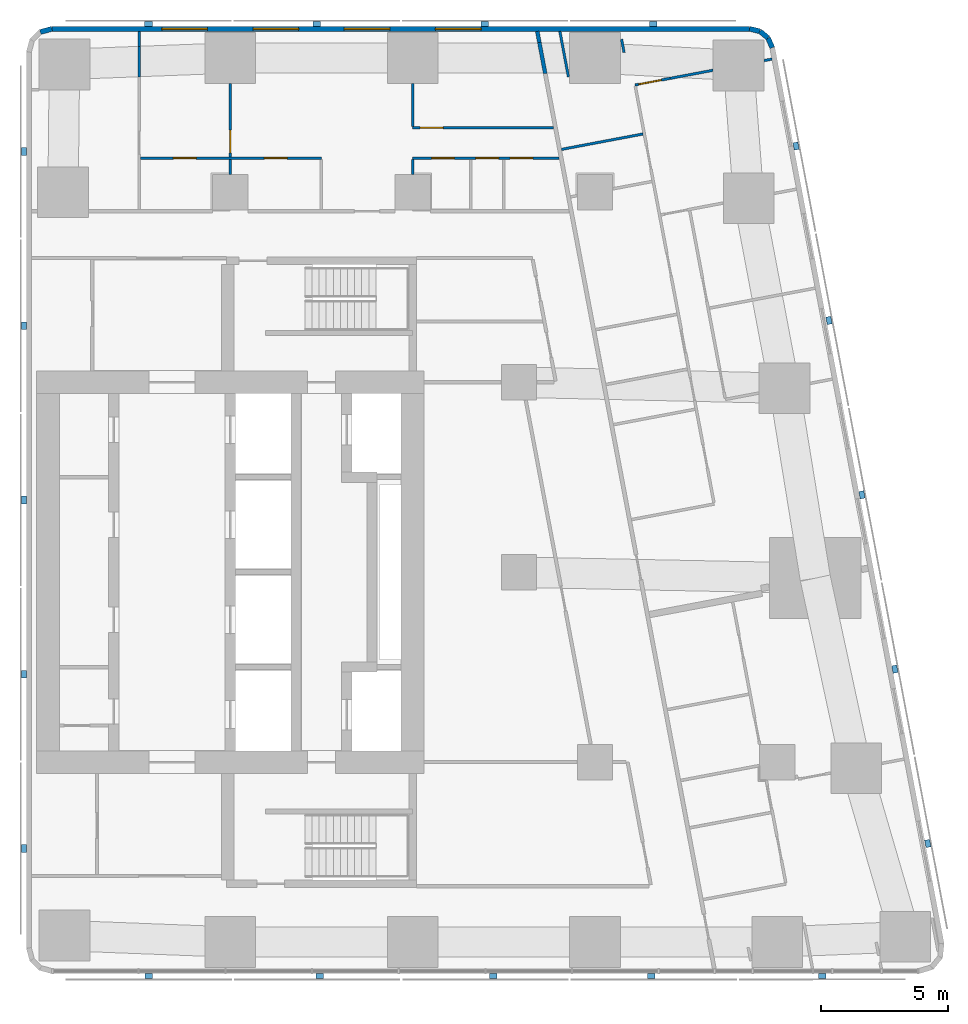
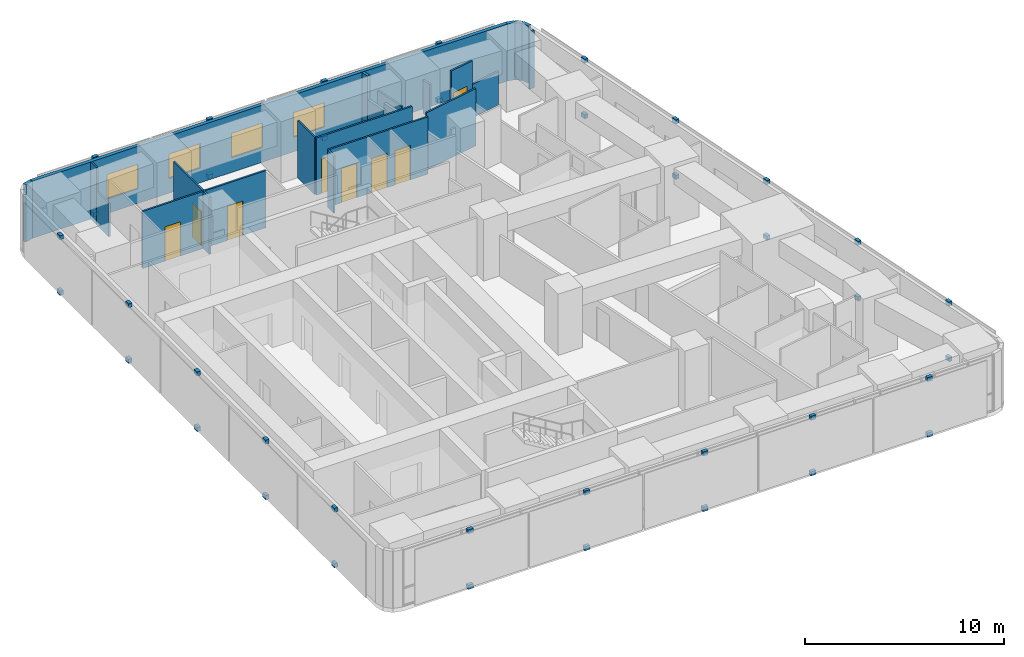
# One storey, part 8 of 10: 38 discrete accessories, 22 walls, 8 doors, 4 windows, 12 openings.
"""IFC4 building model written with IfcOpenShell, lengths in metres."""

from ifc_helpers import new_model, si_unit, direction, frame, frame_2d, origin, origin_2d, place, context, subcontext, project, spatial, rectangle, extrude, material, layer, layer_set, type_object, element, fill, save


model = new_model("IFC4")

# Units and contexts
model_context = context("Model", 3, precision=1e-05, world=origin(), true_north=direction((0.0, 1.0)))
body_context = subcontext(model_context, "Body", "Model", "MODEL_VIEW")
ifc_project = project(units=[si_unit("LENGTHUNIT", "METRE"), si_unit("AREAUNIT", "SQUARE_METRE"), si_unit("VOLUMEUNIT", "CUBIC_METRE"), si_unit("PLANEANGLEUNIT", "RADIAN"), si_unit("MASSUNIT", "GRAM", prefix="KILO")], contexts=[model_context])

# Site, building, storey
site_placement = place(None, origin())
site = spatial("IfcSite", under=ifc_project, at=site_placement, CompositionType="ELEMENT")
building_placement = place(site_placement, origin())
building = spatial("IfcBuilding", under=site, at=building_placement, Name="Sheger Commons Tower", CompositionType="ELEMENT")
storey_placement = place(building_placement, frame((0.0, 0.0, 285.35009765625)))
storey = spatial("IfcBuildingStorey", under=building, at=storey_placement, Name="L73", CompositionType="ELEMENT", Elevation=285.35009765625)

# Walls
ifc_material_1 = material(Name="Hollow concrete block masonry, skimmed both sides", Category="masonry")
ifc_layer_1 = layer(ifc_material_1, 0.14990234375)
ifc_layer_set_1 = layer_set([ifc_layer_1], Name="CORRIDOR WALL 150")
wall_type_1 = type_object("IfcWallType", Name="CORRIDOR WALL 150", PredefinedType="SOLIDWALL", material=ifc_layer_set_1)
wall_1_placement = place(storey_placement, frame((33.721923828125, 43.85009765625, 0.0), z_axis=(0.0, 0.0, 1.0), x_axis=(0.184886516626, -0.982759877066, 0.0)))
element("IfcWall", 1, at=wall_1_placement, inside=storey, type_object=wall_type_1, Name="Corridor wall L73", PredefinedType="SOLIDWALL", context=body_context, shape_type="SweptSolid", body=[
    extrude(rectangle(XDim=0.443603515625, YDim=0.14990234375, at=frame_2d((0.2216796875, 0.0))), origin(), (0.0, 0.0, 1.0), 3.5),
])
wall_2_placement = place(storey_placement, frame((33.803955078125, 43.4140625, 0.0), z_axis=(0.0, 0.0, 1.0), x_axis=(0.185585816539, -0.982628060204, 0.0)))
element("IfcWall", 2, at=wall_2_placement, inside=storey, type_object=wall_type_1, Name="Corridor wall L73", PredefinedType="SOLIDWALL", context=body_context, shape_type="SweptSolid", body=[
    extrude(rectangle(XDim=1.249755859375, YDim=0.14990234375, at=frame_2d((0.625, 0.0))), origin(), (0.0, 0.0, 1.0), 2.0498046875),
])
ifc_material_2 = material(Name="Rendered concrete block masonry, dark grey", Category="masonry")
ifc_layer_2 = layer(ifc_material_2, 0.199951171875)
ifc_layer_set_2 = layer_set([ifc_layer_2], Name="FACADE WALL 200")
wall_type_2 = type_object("IfcWallType", Name="FACADE WALL 200", PredefinedType="SOLIDWALL", material=ifc_layer_set_2)
wall_3_placement = place(storey_placement, frame((43.001953125, 43.2060546875, 0.0), z_axis=(0.0, 0.0, 1.0), x_axis=(-0.40678170573, 0.913525393124, 0.0)))
element("IfcWall", 3, at=wall_3_placement, inside=storey, type_object=wall_type_2, Name="Facade wall L73", PredefinedType="SOLIDWALL", context=body_context, shape_type="SweptSolid", body=[
    extrude(rectangle(XDim=0.422607421875, YDim=0.199951171875, at=frame_2d((0.21142578125, 0.0))), origin(), (0.0, 0.0, 1.0), 3.5),
])
wall_4_placement = place(storey_placement, frame((42.830078125, 43.592041015625, 0.0), z_axis=(0.0, 0.0, 1.0), x_axis=(-0.771190539797, 0.636604391539, 0.0)))
element("IfcWall", 4, at=wall_4_placement, inside=storey, type_object=wall_type_2, Name="Facade wall L73", PredefinedType="SOLIDWALL", context=body_context, shape_type="SweptSolid", body=[
    extrude(rectangle(XDim=0.409912109375, YDim=0.199951171875, at=frame_2d((0.205078125, 0.0))), origin(), (0.0, 0.0, 1.0), 3.5),
])
wall_5_placement = place(storey_placement, frame((42.513916015625, 43.85302734375, 0.0), z_axis=(0.0, 0.0, 1.0), x_axis=(-0.973288080424, 0.229587265555, 0.0)))
element("IfcWall", 5, at=wall_5_placement, inside=storey, type_object=wall_type_2, Name="Facade wall L73", PredefinedType="SOLIDWALL", context=body_context, shape_type="SweptSolid", body=[
    extrude(rectangle(XDim=0.422119140625, YDim=0.199951171875, at=frame_2d((0.2109375, 0.0))), origin(), (0.0, 0.0, 1.0), 3.5),
])

# Wall, openings, windows
wall_6_placement = place(storey_placement, frame((42.10302734375, 43.949951171875, 0.0), z_axis=(0.0, 0.0, 1.0), x_axis=(-1.0, 0.0, 0.0)))
wall_6 = element("IfcWall", 6, at=wall_6_placement, inside=storey, type_object=wall_type_2, Name="Facade wall L73", PredefinedType="SOLIDWALL", context=body_context, shape_type="SweptSolid", body=[
    extrude(rectangle(XDim=27.5400390625, YDim=0.199951171875, at=frame_2d((13.77001953125, 0.0))), origin(), (0.0, 0.0, 1.0), 3.5),
])
opening_1_placement = place(wall_6_placement, frame((10.60302734375, 0.0, 0.89990234375)))
opening_1 = element("IfcOpeningElement", 7, at=opening_1_placement, cuts=wall_6, Name="Opening W2", PredefinedType="OPENING", context=body_context, shape_type="SweptSolid", body=[
    extrude(rectangle(XDim=1.800048828125, YDim=1.5, at=frame_2d((0.89990234375, 0.75))), frame((0.0, 0.10986328125, 0.0), z_axis=(0.0, -1.0, 0.0), x_axis=(1.0, 0.0, 0.0)), (0.0, 0.0, 1.0), 0.219970703125),
])
opening_2_placement = place(wall_6_placement, frame((14.202880859375, 0.0, 0.89990234375)))
opening_2 = element("IfcOpeningElement", 8, at=opening_2_placement, cuts=wall_6, Name="Opening W2", PredefinedType="OPENING", context=body_context, shape_type="SweptSolid", body=[
    extrude(rectangle(XDim=1.800048828125, YDim=1.5, at=frame_2d((0.89990234375, 0.75))), frame((0.0, 0.10986328125, 0.0), z_axis=(0.0, -1.0, 0.0), x_axis=(1.0, 0.0, 0.0)), (0.0, 0.0, 1.0), 0.219970703125),
])
opening_3_placement = place(wall_6_placement, frame((17.802978515625, 0.0, 0.89990234375)))
opening_3 = element("IfcOpeningElement", 9, at=opening_3_placement, cuts=wall_6, Name="Opening W2", PredefinedType="OPENING", context=body_context, shape_type="SweptSolid", body=[
    extrude(rectangle(XDim=1.800048828125, YDim=1.5, at=frame_2d((0.89990234375, 0.75))), frame((0.0, 0.10986328125, 0.0), z_axis=(0.0, -1.0, 0.0), x_axis=(1.0, 0.0, 0.0)), (0.0, 0.0, 1.0), 0.219970703125),
])
opening_4_placement = place(wall_6_placement, frame((21.403076171875, 0.0, 0.89990234375)))
opening_4 = element("IfcOpeningElement", 10, at=opening_4_placement, cuts=wall_6, Name="Opening W2", PredefinedType="OPENING", context=body_context, shape_type="SweptSolid", body=[
    extrude(rectangle(XDim=1.800048828125, YDim=1.5, at=frame_2d((0.89990234375, 0.75))), frame((0.0, 0.10986328125, 0.0), z_axis=(0.0, -1.0, 0.0), x_axis=(1.0, 0.0, 0.0)), (0.0, 0.0, 1.0), 0.219970703125),
])
ifc_material_3 = material(Name="Black aluminium frame, dark tinted double glazing", Category="aluminium")
window_type = type_object("IfcWindowType", Name="WINDOW W2 1800x1500", PartitioningType="SINGLE_PANEL", PredefinedType="WINDOW", material=ifc_material_3)
window_1_placement = place(opening_1_placement, origin())
window_1 = element("IfcWindow", 11, at=window_1_placement, inside=storey, type_object=window_type, Name="Window W2 1800X1500", OverallHeight=1.5, OverallWidth=1.800048828125, PartitioningType="SINGLE_PANEL", PredefinedType="WINDOW", context=body_context, shape_type="SweptSolid", body=[
    extrude(rectangle(XDim=1.800048828125, YDim=1.5, at=frame_2d((0.89990234375, 0.75))), frame((0.0, 0.030029296875, 0.0), z_axis=(0.0, -1.0, 0.0), x_axis=(1.0, 0.0, 0.0)), (0.0, 0.0, 1.0), 0.06005859375),
])
fill(opening_1, window_1)
window_2_placement = place(opening_2_placement, origin())
window_2 = element("IfcWindow", 12, at=window_2_placement, inside=storey, type_object=window_type, Name="Window W2 1800X1500", OverallHeight=1.5, OverallWidth=1.800048828125, PartitioningType="SINGLE_PANEL", PredefinedType="WINDOW", context=body_context, shape_type="SweptSolid", body=[
    extrude(rectangle(XDim=1.800048828125, YDim=1.5, at=frame_2d((0.89990234375, 0.75))), frame((0.0, 0.030029296875, 0.0), z_axis=(0.0, -1.0, 0.0), x_axis=(1.0, 0.0, 0.0)), (0.0, 0.0, 1.0), 0.06005859375),
])
fill(opening_2, window_2)
window_3_placement = place(opening_3_placement, origin())
window_3 = element("IfcWindow", 13, at=window_3_placement, inside=storey, type_object=window_type, Name="Window W2 1800X1500", OverallHeight=1.5, OverallWidth=1.800048828125, PartitioningType="SINGLE_PANEL", PredefinedType="WINDOW", context=body_context, shape_type="SweptSolid", body=[
    extrude(rectangle(XDim=1.800048828125, YDim=1.5, at=frame_2d((0.89990234375, 0.75))), frame((0.0, 0.030029296875, 0.0), z_axis=(0.0, -1.0, 0.0), x_axis=(1.0, 0.0, 0.0)), (0.0, 0.0, 1.0), 0.06005859375),
])
fill(opening_3, window_3)
window_4_placement = place(opening_4_placement, origin())
window_4 = element("IfcWindow", 14, at=window_4_placement, inside=storey, type_object=window_type, Name="Window W2 1800X1500", OverallHeight=1.5, OverallWidth=1.800048828125, PartitioningType="SINGLE_PANEL", PredefinedType="WINDOW", context=body_context, shape_type="SweptSolid", body=[
    extrude(rectangle(XDim=1.800048828125, YDim=1.5, at=frame_2d((0.89990234375, 0.75))), frame((0.0, 0.030029296875, 0.0), z_axis=(0.0, -1.0, 0.0), x_axis=(1.0, 0.0, 0.0)), (0.0, 0.0, 1.0), 0.06005859375),
])
fill(opening_4, window_4)

# Walls
wall_7_placement = place(storey_placement, frame((14.56298828125, 43.949951171875, 0.0), z_axis=(0.0, 0.0, 1.0), x_axis=(-0.965655254015, -0.259826731483, 0.0)))
element("IfcWall", 15, at=wall_7_placement, inside=storey, type_object=wall_type_2, Name="Facade wall L73", PredefinedType="SOLIDWALL", context=body_context, shape_type="SweptSolid", body=[
    extrude(rectangle(XDim=0.477294921875, YDim=0.199951171875, at=frame_2d((0.23876953125, 0.0))), origin(), (0.0, 0.0, 1.0), 3.5),
])
ifc_material_4 = material(Name="Gypsum board on steel studs", Category="steel")
ifc_layer_3 = layer(ifc_material_4, 0.10009765625)
ifc_layer_set_3 = layer_set([ifc_layer_3], Name="PARTITION 100")
wall_type_3 = type_object("IfcWallType", Name="PARTITION 100", PredefinedType="PARTITIONING", material=ifc_layer_set_3)
wall_8_placement = place(storey_placement, frame((34.951904296875, 42.054931640625, 0.0), z_axis=(0.0, 0.0, 1.0), x_axis=(-0.185490642006, 0.98264603074, 0.0)))
element("IfcWall", 16, at=wall_8_placement, inside=storey, type_object=wall_type_3, Name="Partition L73", PredefinedType="PARTITIONING", context=body_context, shape_type="SweptSolid", body=[
    extrude(rectangle(XDim=1.826904296875, YDim=0.10009765625, at=frame_2d((0.91357421875, 0.0))), origin(), (0.0, 0.0, 1.0), 2.0498046875),
])
wall_9_placement = place(storey_placement, frame((37.049072265625, 43.5390625, 0.0), z_axis=(0.0, 0.0, 1.0), x_axis=(0.186119495745, -0.982527115811, 0.0)))
element("IfcWall", 17, at=wall_9_placement, inside=storey, type_object=wall_type_3, Name="Partition L73", PredefinedType="PARTITIONING", context=body_context, shape_type="SweptSolid", body=[
    extrude(rectangle(XDim=0.53125, YDim=0.10009765625, at=frame_2d((0.265625, 0.0))), origin(), (0.0, 0.0, 1.0), 2.0498046875),
])
wall_10_placement = place(storey_placement, frame((42.985107421875, 42.7548828125, 0.0), z_axis=(0.0, 0.0, 1.0), x_axis=(-0.98281924824, -0.184570651215, 0.0)))
element("IfcWall", 18, at=wall_10_placement, inside=storey, type_object=wall_type_3, Name="Partition L73", PredefinedType="PARTITIONING", context=body_context, shape_type="SweptSolid", body=[
    extrude(rectangle(XDim=0.3134765625, YDim=0.10009765625, at=frame_2d((0.15673828125, 0.0))), origin(), (0.0, 0.0, 1.0), 3.5),
])
wall_11_placement = place(storey_placement, frame((40.656982421875, 42.31494140625, 0.0), z_axis=(0.0, 0.0, 1.0), x_axis=(-0.982603924403, -0.185713563715, 0.0)))
element("IfcWall", 19, at=wall_11_placement, inside=storey, type_object=wall_type_3, Name="Partition L73", PredefinedType="PARTITIONING", context=body_context, shape_type="SweptSolid", body=[
    extrude(rectangle(XDim=1.716796875, YDim=0.10009765625, at=frame_2d((0.8583984375, 0.0))), origin(), (0.0, 0.0, 1.0), 2.0498046875),
])

# Wall, opening, door
wall_12_placement = place(storey_placement, frame((38.969970703125, 41.99609375, 0.0), z_axis=(0.0, 0.0, 1.0), x_axis=(-0.982642648049, -0.185508561084, 0.0)))
wall_12 = element("IfcWall", 20, at=wall_12_placement, inside=storey, type_object=wall_type_3, Name="Partition L73", PredefinedType="PARTITIONING", context=body_context, shape_type="SweptSolid", body=[
    extrude(rectangle(XDim=1.413330078125, YDim=0.10009765625, at=frame_2d((0.70654296875, 0.0))), origin(), (0.0, 0.0, 1.0), 3.5),
])
opening_5_placement = place(wall_12_placement, frame((0.363037109375, 0.0, 0.0)))
opening_5 = element("IfcOpeningElement", 21, at=opening_5_placement, cuts=wall_12, Name="Opening D2", PredefinedType="OPENING", context=body_context, shape_type="SweptSolid", body=[
    extrude(rectangle(XDim=0.89990234375, YDim=2.10009765625, at=frame_2d((0.449951171875, 1.050048828125))), frame((0.0, 0.06005859375, 0.0), z_axis=(0.0, -1.0, 0.0), x_axis=(1.0, 0.0, 0.0)), (0.0, 0.0, 1.0), 0.1201171875),
])
ifc_material_5 = material(Name="Timber door set", Category="wood")
door_type = type_object("IfcDoorType", Name="INTERNAL DOOR 900x2100", OperationType="NOTDEFINED", PredefinedType="DOOR", material=ifc_material_5)
door_1_placement = place(opening_5_placement, origin())
door_1 = element("IfcDoor", 22, at=door_1_placement, inside=storey, type_object=door_type, Name="Dressing room door", OperationType="SINGLE_SWING_LEFT", OverallHeight=2.10009765625, OverallWidth=0.89990234375, PredefinedType="DOOR", context=body_context, shape_type="SweptSolid", body=[
    extrude(rectangle(XDim=0.89990234375, YDim=2.10009765625, at=frame_2d((0.449951171875, 1.050048828125))), frame((0.0, 0.02490234375, 0.0), z_axis=(0.0, -1.0, 0.0), x_axis=(1.0, 0.0, 0.0)), (0.0, 0.0, 1.0), 0.050048828125),
])
fill(opening_5, door_1)

# Walls
wall_13_placement = place(storey_placement, frame((37.89599609375, 39.800048828125, 0.0), z_axis=(0.0, 0.0, 1.0), x_axis=(-0.982607026909, -0.185697147715, 0.0)))
element("IfcWall", 23, at=wall_13_placement, inside=storey, type_object=wall_type_3, Name="Partition L73", PredefinedType="PARTITIONING", context=body_context, shape_type="SweptSolid", body=[
    extrude(rectangle(XDim=3.27490234375, YDim=0.10009765625, at=frame_2d((1.637451171875, 0.0))), origin(), (0.0, 0.0, 1.0), 3.5),
])
wall_14_placement = place(storey_placement, frame((18.0, 42.05810546875, 0.0), z_axis=(0.0, 0.0, 1.0), x_axis=(0.0, 1.0, 0.0)))
element("IfcWall", 24, at=wall_14_placement, inside=storey, type_object=wall_type_3, Name="Partition L73", PredefinedType="PARTITIONING", context=body_context, shape_type="SweptSolid", body=[
    extrude(rectangle(XDim=1.204833984375, YDim=0.10009765625, at=frame_2d((0.6025390625, 0.0))), origin(), (0.0, 0.0, 1.0), 2.0498046875),
])
wall_15_placement = place(storey_placement, frame((18.0, 43.262939453125, 0.0), z_axis=(0.0, 0.0, 1.0), x_axis=(0.0, 1.0, 0.0)))
element("IfcWall", 25, at=wall_15_placement, inside=storey, type_object=wall_type_3, Name="Partition L73", PredefinedType="PARTITIONING", context=body_context, shape_type="SweptSolid", body=[
    extrude(rectangle(XDim=0.587158203125, YDim=0.10009765625, at=frame_2d((0.29345703125, 0.0))), origin(), (0.0, 0.0, 1.0), 3.5),
])

# Wall, opening, door
wall_16_placement = place(storey_placement, frame((21.60009765625, 38.89990234375, 0.0), z_axis=(0.0, 0.0, 1.0), x_axis=(0.0, 1.0, 0.0)))
wall_16 = element("IfcWall", 26, at=wall_16_placement, inside=storey, type_object=wall_type_3, Name="Partition L73", PredefinedType="PARTITIONING", context=body_context, shape_type="SweptSolid", body=[
    extrude(rectangle(XDim=2.899169921875, YDim=0.10009765625, at=frame_2d((1.44970703125, 0.0))), origin(), (0.0, 0.0, 1.0), 3.5),
])
opening_6_placement = place(wall_16_placement, frame((0.14990234375, 0.0, 0.0)))
opening_6 = element("IfcOpeningElement", 27, at=opening_6_placement, cuts=wall_16, Name="Opening D2", PredefinedType="OPENING", context=body_context, shape_type="SweptSolid", body=[
    extrude(rectangle(XDim=0.89990234375, YDim=2.10009765625, at=frame_2d((0.449951171875, 1.050048828125))), frame((0.0, 0.06005859375, 0.0), z_axis=(0.0, -1.0, 0.0), x_axis=(1.0, 0.0, 0.0)), (0.0, 0.0, 1.0), 0.1201171875),
])
door_2_placement = place(opening_6_placement, origin())
door_2 = element("IfcDoor", 28, at=door_2_placement, inside=storey, type_object=door_type, Name="Main bedroom door", OperationType="SINGLE_SWING_LEFT", OverallHeight=2.10009765625, OverallWidth=0.89990234375, PredefinedType="DOOR", context=body_context, shape_type="SweptSolid", body=[
    extrude(rectangle(XDim=0.89990234375, YDim=2.10009765625, at=frame_2d((0.449951171875, 1.050048828125))), frame((0.0, 0.02490234375, 0.0), z_axis=(0.0, -1.0, 0.0), x_axis=(1.0, 0.0, 0.0)), (0.0, 0.0, 1.0), 0.050048828125),
])
fill(opening_6, door_2)

# Walls
wall_17_placement = place(storey_placement, frame((28.800048828125, 40.10009765625, 0.0), z_axis=(0.0, 0.0, 1.0), x_axis=(0.0, 1.0, 0.0)))
element("IfcWall", 29, at=wall_17_placement, inside=storey, type_object=wall_type_3, Name="Partition L73", PredefinedType="PARTITIONING", context=body_context, shape_type="SweptSolid", body=[
    extrude(rectangle(XDim=1.698974609375, YDim=0.10009765625, at=frame_2d((0.849609375, 0.0))), origin(), (0.0, 0.0, 1.0), 3.5),
])
for number, where, z_axis, x_axis, name in (
    (30, (21.60009765625, 38.200927734375, 0.0), (0.0, 0.0, 1.0), (0.0, 1.0, 0.0), "Partition L73"),
    (31, (28.800048828125, 38.200927734375, 0.0), (0.0, 0.0, 1.0), (0.0, 1.0, 0.0), "Partition L73"),
):
    element("IfcWall", number, at=place(storey_placement, frame(where, z_axis=z_axis, x_axis=x_axis)), inside=storey, type_object=wall_type_3, Name=name, PredefinedType="PARTITIONING", context=body_context, shape_type="SweptSolid", body=[
        extrude(rectangle(XDim=0.59912109375, YDim=0.10009765625, at=frame_2d((0.299560546875, 0.0))), origin(), (0.0, 0.0, 1.0), 3.5),
    ])

# Wall, openings, doors
wall_18_placement = place(storey_placement, frame((18.050048828125, 38.85009765625, 0.0), z_axis=(0.0, 0.0, 1.0), x_axis=(1.0, 0.0, 0.0)))
wall_18 = element("IfcWall", 32, at=wall_18_placement, inside=storey, type_object=wall_type_3, Name="Partition L73", PredefinedType="PARTITIONING", context=body_context, shape_type="SweptSolid", body=[
    extrude(rectangle(XDim=7.14990234375, YDim=0.10009765625, at=frame_2d((3.574951171875, 0.0))), origin(), (0.0, 0.0, 1.0), 3.5),
])
opening_7_placement = place(wall_18_placement, frame((1.300048828125, 0.0, 0.0)))
opening_7 = element("IfcOpeningElement", 33, at=opening_7_placement, cuts=wall_18, Name="Opening D2", PredefinedType="OPENING", context=body_context, shape_type="SweptSolid", body=[
    extrude(rectangle(XDim=0.89990234375, YDim=2.10009765625, at=frame_2d((0.449951171875, 1.050048828125))), frame((0.0, 0.06005859375, 0.0), z_axis=(0.0, -1.0, 0.0), x_axis=(1.0, 0.0, 0.0)), (0.0, 0.0, 1.0), 0.1201171875),
])
opening_8_placement = place(wall_18_placement, frame((4.89990234375, 0.0, 0.0)))
opening_8 = element("IfcOpeningElement", 34, at=opening_8_placement, cuts=wall_18, Name="Opening D2", PredefinedType="OPENING", context=body_context, shape_type="SweptSolid", body=[
    extrude(rectangle(XDim=0.89990234375, YDim=2.10009765625, at=frame_2d((0.449951171875, 1.050048828125))), frame((0.0, 0.06005859375, 0.0), z_axis=(0.0, -1.0, 0.0), x_axis=(1.0, 0.0, 0.0)), (0.0, 0.0, 1.0), 0.1201171875),
])
door_3_placement = place(opening_7_placement, origin())
door_3 = element("IfcDoor", 35, at=door_3_placement, inside=storey, type_object=door_type, Name="En-suite door", OperationType="SINGLE_SWING_RIGHT", OverallHeight=2.10009765625, OverallWidth=0.89990234375, PredefinedType="DOOR", context=body_context, shape_type="SweptSolid", body=[
    extrude(rectangle(XDim=0.89990234375, YDim=2.10009765625, at=frame_2d((0.449951171875, 1.050048828125))), frame((0.0, 0.02490234375, 0.0), z_axis=(0.0, -1.0, 0.0), x_axis=(1.0, 0.0, 0.0)), (0.0, 0.0, 1.0), 0.050048828125),
])
fill(opening_7, door_3)
door_4_placement = place(opening_8_placement, origin())
door_4 = element("IfcDoor", 36, at=door_4_placement, inside=storey, type_object=door_type, Name="Kitchen door", OperationType="SINGLE_SWING_LEFT", OverallHeight=2.10009765625, OverallWidth=0.89990234375, PredefinedType="DOOR", context=body_context, shape_type="SweptSolid", body=[
    extrude(rectangle(XDim=0.89990234375, YDim=2.10009765625, at=frame_2d((0.449951171875, 1.050048828125))), frame((0.0, 0.02490234375, 0.0), z_axis=(0.0, -1.0, 0.0), x_axis=(1.0, 0.0, 0.0)), (0.0, 0.0, 1.0), 0.050048828125),
])
fill(opening_8, door_4)

wall_19_placement = place(storey_placement, frame((28.800048828125, 38.85009765625, 0.0), z_axis=(0.0, 0.0, 1.0), x_axis=(1.0, 0.0, 0.0)))
wall_19 = element("IfcWall", 37, at=wall_19_placement, inside=storey, type_object=wall_type_3, Name="Partition L73", PredefinedType="PARTITIONING", context=body_context, shape_type="SweptSolid", body=[
    extrude(rectangle(XDim=5.781005859375, YDim=0.10009765625, at=frame_2d((2.890625, 0.0))), origin(), (0.0, 0.0, 1.0), 3.5),
])
opening_9_placement = place(wall_19_placement, frame((0.75, 0.0, 0.0)))
opening_9 = element("IfcOpeningElement", 38, at=opening_9_placement, cuts=wall_19, Name="Opening D2", PredefinedType="OPENING", context=body_context, shape_type="SweptSolid", body=[
    extrude(rectangle(XDim=0.89990234375, YDim=2.10009765625, at=frame_2d((0.449951171875, 1.050048828125))), frame((0.0, 0.06005859375, 0.0), z_axis=(0.0, -1.0, 0.0), x_axis=(1.0, 0.0, 0.0)), (0.0, 0.0, 1.0), 0.1201171875),
])
opening_10_placement = place(wall_19_placement, frame((2.5, 0.0, 0.0)))
opening_10 = element("IfcOpeningElement", 39, at=opening_10_placement, cuts=wall_19, Name="Opening D2", PredefinedType="OPENING", context=body_context, shape_type="SweptSolid", body=[
    extrude(rectangle(XDim=0.89990234375, YDim=2.10009765625, at=frame_2d((0.449951171875, 1.050048828125))), frame((0.0, 0.06005859375, 0.0), z_axis=(0.0, -1.0, 0.0), x_axis=(1.0, 0.0, 0.0)), (0.0, 0.0, 1.0), 0.1201171875),
])
opening_11_placement = place(wall_19_placement, frame((3.85009765625, 0.0, 0.0)))
opening_11 = element("IfcOpeningElement", 40, at=opening_11_placement, cuts=wall_19, Name="Opening D2", PredefinedType="OPENING", context=body_context, shape_type="SweptSolid", body=[
    extrude(rectangle(XDim=0.89990234375, YDim=2.10009765625, at=frame_2d((0.449951171875, 1.050048828125))), frame((0.0, 0.06005859375, 0.0), z_axis=(0.0, -1.0, 0.0), x_axis=(1.0, 0.0, 0.0)), (0.0, 0.0, 1.0), 0.1201171875),
])
door_5_placement = place(opening_9_placement, origin())
door_5 = element("IfcDoor", 41, at=door_5_placement, inside=storey, type_object=door_type, Name="Bathroom door", OperationType="SINGLE_SWING_RIGHT", OverallHeight=2.10009765625, OverallWidth=0.89990234375, PredefinedType="DOOR", context=body_context, shape_type="SweptSolid", body=[
    extrude(rectangle(XDim=0.89990234375, YDim=2.10009765625, at=frame_2d((0.449951171875, 1.050048828125))), frame((0.0, 0.02490234375, 0.0), z_axis=(0.0, -1.0, 0.0), x_axis=(1.0, 0.0, 0.0)), (0.0, 0.0, 1.0), 0.050048828125),
])
fill(opening_9, door_5)
door_6_placement = place(opening_10_placement, origin())
door_6 = element("IfcDoor", 42, at=door_6_placement, inside=storey, type_object=door_type, Name="Store door", OperationType="SINGLE_SWING_LEFT", OverallHeight=2.10009765625, OverallWidth=0.89990234375, PredefinedType="DOOR", context=body_context, shape_type="SweptSolid", body=[
    extrude(rectangle(XDim=0.89990234375, YDim=2.10009765625, at=frame_2d((0.449951171875, 1.050048828125))), frame((0.0, 0.02490234375, 0.0), z_axis=(0.0, -1.0, 0.0), x_axis=(1.0, 0.0, 0.0)), (0.0, 0.0, 1.0), 0.050048828125),
])
fill(opening_10, door_6)
door_7_placement = place(opening_11_placement, origin())
door_7 = element("IfcDoor", 43, at=door_7_placement, inside=storey, type_object=door_type, Name="Linen store door", OperationType="SINGLE_SWING_RIGHT", OverallHeight=2.10009765625, OverallWidth=0.89990234375, PredefinedType="DOOR", context=body_context, shape_type="SweptSolid", body=[
    extrude(rectangle(XDim=0.89990234375, YDim=2.10009765625, at=frame_2d((0.449951171875, 1.050048828125))), frame((0.0, 0.02490234375, 0.0), z_axis=(0.0, -1.0, 0.0), x_axis=(1.0, 0.0, 0.0)), (0.0, 0.0, 1.0), 0.050048828125),
])
fill(opening_11, door_7)

# Wall, opening, door
wall_20_placement = place(storey_placement, frame((28.800048828125, 40.050048828125, 0.0), z_axis=(0.0, 0.0, 1.0), x_axis=(1.0, 0.0, 0.0)))
wall_20 = element("IfcWall", 44, at=wall_20_placement, inside=storey, type_object=wall_type_3, Name="Partition L73", PredefinedType="PARTITIONING", context=body_context, shape_type="SweptSolid", body=[
    extrude(rectangle(XDim=5.553955078125, YDim=0.10009765625, at=frame_2d((2.77685546875, 0.0))), origin(), (0.0, 0.0, 1.0), 3.5),
])
opening_12_placement = place(wall_20_placement, frame((0.300048828125, 0.0, 0.0)))
opening_12 = element("IfcOpeningElement", 45, at=opening_12_placement, cuts=wall_20, Name="Opening D2", PredefinedType="OPENING", context=body_context, shape_type="SweptSolid", body=[
    extrude(rectangle(XDim=0.89990234375, YDim=2.10009765625, at=frame_2d((0.449951171875, 1.050048828125))), frame((0.0, 0.06005859375, 0.0), z_axis=(0.0, -1.0, 0.0), x_axis=(1.0, 0.0, 0.0)), (0.0, 0.0, 1.0), 0.1201171875),
])
door_8_placement = place(opening_12_placement, origin())
door_8 = element("IfcDoor", 46, at=door_8_placement, inside=storey, type_object=door_type, Name="Bedroom 2 door", OperationType="SINGLE_SWING_LEFT", OverallHeight=2.10009765625, OverallWidth=0.89990234375, PredefinedType="DOOR", context=body_context, shape_type="SweptSolid", body=[
    extrude(rectangle(XDim=0.89990234375, YDim=2.10009765625, at=frame_2d((0.449951171875, 1.050048828125))), frame((0.0, 0.02490234375, 0.0), z_axis=(0.0, -1.0, 0.0), x_axis=(1.0, 0.0, 0.0)), (0.0, 0.0, 1.0), 0.050048828125),
])
fill(opening_12, door_8)

# Discrete accessories
ifc_material_6 = material(Name="Black painted steel bracket", Category="steel")
discrete_accessory_type = type_object("IfcDiscreteAccessoryType", Name="SCREEN BRACKET 300x200x250", PredefinedType="BRACKET", material=ifc_material_6)
for number, where, z_axis, x_axis, name in (
    (47, (18.375, 6.550048828125, -0.10009765625), (0.0, 0.0, 1.0), (1.0, 0.0, 0.0), "Solar screen foot bracket"),
    (48, (18.375, 6.550048828125, 3.2998046875), (0.0, 0.0, 1.0), (1.0, 0.0, 0.0), "Solar screen head bracket"),
    (49, (25.1259765625, 6.550048828125, -0.10009765625), (0.0, 0.0, 1.0), (1.0, 0.0, 0.0), "Solar screen foot bracket"),
    (50, (25.1259765625, 6.550048828125, 3.2998046875), (0.0, 0.0, 1.0), (1.0, 0.0, 0.0), "Solar screen head bracket"),
    (51, (31.97607421875, 6.550048828125, -0.10009765625), (0.0, 0.0, 1.0), (1.0, 0.0, 0.0), "Solar screen foot bracket"),
    (52, (31.97607421875, 6.550048828125, 3.2998046875), (0.0, 0.0, 1.0), (1.0, 0.0, 0.0), "Solar screen head bracket"),
    (53, (38.22607421875, 6.550048828125, -0.10009765625), (0.0, 0.0, 1.0), (1.0, 0.0, 0.0), "Solar screen foot bracket"),
    (54, (38.22607421875, 6.550048828125, 3.2998046875), (0.0, 0.0, 1.0), (1.0, 0.0, 0.0), "Solar screen head bracket"),
    (55, (44.97705078125, 6.550048828125, -0.10009765625), (0.0, 0.0, 1.0), (1.0, 0.0, 0.0), "Solar screen foot bracket"),
    (56, (44.97705078125, 6.550048828125, 3.2998046875), (0.0, 0.0, 1.0), (1.0, 0.0, 0.0), "Solar screen head bracket"),
    (57, (49.139892578125, 11.7880859375, -0.10009765625), (0.0, 0.0, 1.0), (-0.185615165645, 0.982622516678, 0.0), "Solar screen foot bracket"),
    (58, (49.139892578125, 11.7880859375, 3.2998046875), (0.0, 0.0, 1.0), (-0.185615165645, 0.982622516678, 0.0), "Solar screen head bracket"),
    (59, (47.840087890625, 18.6708984375, -0.10009765625), (0.0, 0.0, 1.0), (-0.185615165645, 0.982622516678, 0.0), "Solar screen foot bracket"),
    (60, (47.840087890625, 18.6708984375, 3.2998046875), (0.0, 0.0, 1.0), (-0.185615165645, 0.982622516678, 0.0), "Solar screen head bracket"),
    (61, (46.5400390625, 25.554931640625, -0.10009765625), (0.0, 0.0, 1.0), (-0.185615165645, 0.982622516678, 0.0), "Solar screen foot bracket"),
    (62, (46.5400390625, 25.554931640625, 3.2998046875), (0.0, 0.0, 1.0), (-0.185615165645, 0.982622516678, 0.0), "Solar screen head bracket"),
    (63, (45.239013671875, 32.43798828125, -0.10009765625), (0.0, 0.0, 1.0), (-0.185615165645, 0.982622516678, 0.0), "Solar screen foot bracket"),
    (64, (45.239013671875, 32.43798828125, 3.2998046875), (0.0, 0.0, 1.0), (-0.185615165645, 0.982622516678, 0.0), "Solar screen head bracket"),
    (65, (43.93896484375, 39.322021484375, -0.10009765625), (0.0, 0.0, 1.0), (-0.185615165645, 0.982622516678, 0.0), "Solar screen foot bracket"),
    (66, (43.93896484375, 39.322021484375, 3.2998046875), (0.0, 0.0, 1.0), (-0.185615165645, 0.982622516678, 0.0), "Solar screen head bracket"),
    (67, (38.2939453125, 44.14990234375, -0.10009765625), (0.0, 0.0, 1.0), (-1.0, 0.0, 0.0), "Solar screen foot bracket"),
    (68, (38.2939453125, 44.14990234375, 3.2998046875), (0.0, 0.0, 1.0), (-1.0, 0.0, 0.0), "Solar screen head bracket"),
    (69, (31.653076171875, 44.14990234375, -0.10009765625), (0.0, 0.0, 1.0), (-1.0, 0.0, 0.0), "Solar screen foot bracket"),
    (70, (31.653076171875, 44.14990234375, 3.2998046875), (0.0, 0.0, 1.0), (-1.0, 0.0, 0.0), "Solar screen head bracket"),
    (71, (25.011962890625, 44.14990234375, -0.10009765625), (0.0, 0.0, 1.0), (-1.0, 0.0, 0.0), "Solar screen foot bracket"),
    (72, (25.011962890625, 44.14990234375, 3.2998046875), (0.0, 0.0, 1.0), (-1.0, 0.0, 0.0), "Solar screen head bracket"),
    (73, (18.37109375, 44.14990234375, -0.10009765625), (0.0, 0.0, 1.0), (-1.0, 0.0, 0.0), "Solar screen foot bracket"),
    (74, (18.37109375, 44.14990234375, 3.2998046875), (0.0, 0.0, 1.0), (-1.0, 0.0, 0.0), "Solar screen head bracket"),
    (75, (13.449951171875, 39.110107421875, -0.10009765625), (0.0, 0.0, 1.0), (0.0, -1.0, 0.0), "Solar screen foot bracket"),
    (76, (13.449951171875, 39.110107421875, 3.2998046875), (0.0, 0.0, 1.0), (0.0, -1.0, 0.0), "Solar screen head bracket"),
    (77, (13.449951171875, 32.22998046875, -0.10009765625), (0.0, 0.0, 1.0), (0.0, -1.0, 0.0), "Solar screen foot bracket"),
    (78, (13.449951171875, 32.22998046875, 3.2998046875), (0.0, 0.0, 1.0), (0.0, -1.0, 0.0), "Solar screen head bracket"),
    (79, (13.449951171875, 25.35009765625, -0.10009765625), (0.0, 0.0, 1.0), (0.0, -1.0, 0.0), "Solar screen foot bracket"),
    (80, (13.449951171875, 25.35009765625, 3.2998046875), (0.0, 0.0, 1.0), (0.0, -1.0, 0.0), "Solar screen head bracket"),
    (81, (13.449951171875, 18.469970703125, -0.10009765625), (0.0, 0.0, 1.0), (0.0, -1.0, 0.0), "Solar screen foot bracket"),
    (82, (13.449951171875, 18.469970703125, 3.2998046875), (0.0, 0.0, 1.0), (0.0, -1.0, 0.0), "Solar screen head bracket"),
    (83, (13.449951171875, 11.590087890625, -0.10009765625), (0.0, 0.0, 1.0), (0.0, -1.0, 0.0), "Solar screen foot bracket"),
    (84, (13.449951171875, 11.590087890625, 3.2998046875), (0.0, 0.0, 1.0), (0.0, -1.0, 0.0), "Solar screen head bracket"),
):
    element("IfcDiscreteAccessory", number, at=place(storey_placement, frame(where, z_axis=z_axis, x_axis=x_axis)), inside=storey, type_object=discrete_accessory_type, Name=name, PredefinedType="BRACKET", context=body_context, shape_type="SweptSolid", body=[
        extrude(rectangle(XDim=0.300048828125, YDim=0.199951171875, at=origin_2d()), origin(), (0.0, 0.0, 1.0), 0.25),
    ])

save(model, "model.ifc")
